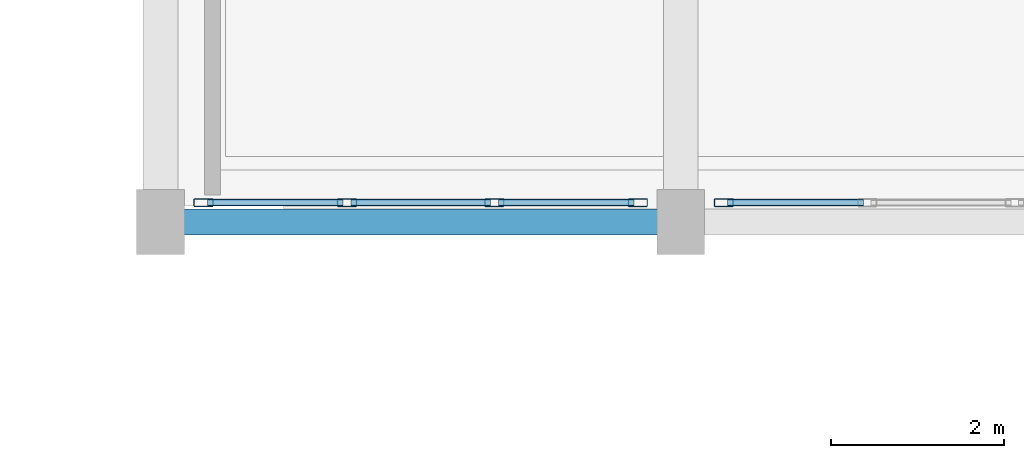
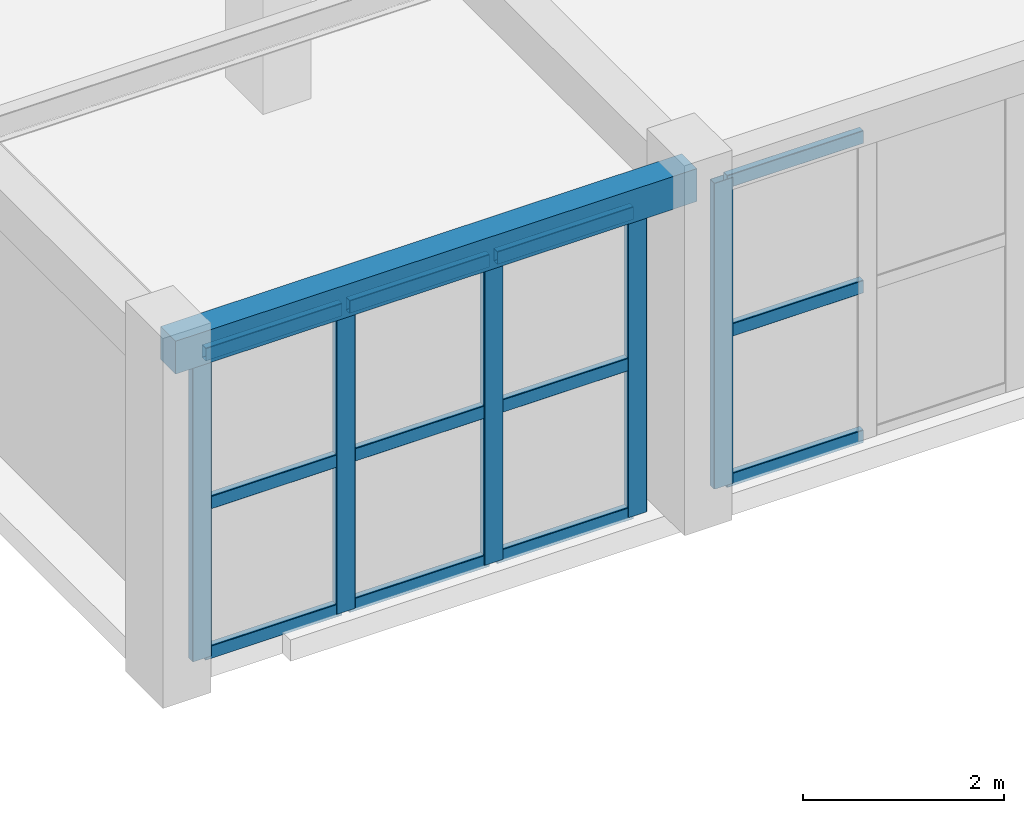
# One storey, part 17 of 92: 17 members, 1 beam, 2 elements without a shape of their own.
"""IFC4 building model written with IfcOpenShell, lengths in metres."""

from ifc_helpers import new_model, si_unit, direction, frame, origin, origin_2d, place, context, subcontext, project, spatial, rectangle, hollow_rectangle, extrude, material, layer, layer_set, material_profile, profile_set, type_object, element, aggregate, save


model = new_model("IFC4")

# Units and contexts
model_context = context("Model", 3, precision=1e-05, world=origin(), true_north=direction((0.0, 1.0)))
body_context = subcontext(model_context, "Body", "Model", "MODEL_VIEW")
ifc_project = project(units=[si_unit("LENGTHUNIT", "METRE"), si_unit("AREAUNIT", "SQUARE_METRE"), si_unit("VOLUMEUNIT", "CUBIC_METRE"), si_unit("PLANEANGLEUNIT", "RADIAN"), si_unit("MASSUNIT", "GRAM", prefix="KILO")], contexts=[model_context])

# Site, building, storey
site_placement = place(None, origin())
site = spatial("IfcSite", under=ifc_project, at=site_placement, CompositionType="ELEMENT")
building_placement = place(site_placement, origin())
building = spatial("IfcBuilding", under=site, at=building_placement, Name="Tarnavel Promenade Courthouse", CompositionType="ELEMENT")
storey_placement = place(building_placement, frame((0.0, 0.0, 5.39990234375)))
storey = spatial("IfcBuildingStorey", under=building, at=storey_placement, Name="L02", CompositionType="ELEMENT", Elevation=5.39990234375)

# Beam
ifc_material_1 = material(Name="Concrete C40/50", Category="concrete")
ifc_material_profile_1 = material_profile(ifc_material_1, rectangle(XDim=0.300048828125, YDim=0.39990234375, at=origin_2d()), Name="RC 300x400")
ifc_profile_set_1 = profile_set([ifc_material_profile_1], Name="Concrete C40/50")
beam_type = type_object("IfcBeamType", Name="Concrete C40/50 BM-SP-300x400 (RC 300x400)", PredefinedType="SPANDREL", material=ifc_profile_set_1)
beam_placement = place(storey_placement, frame((120.0, 28.800048828125, 4.03515625), z_axis=(1.0, 0.0, 0.0), x_axis=(0.0, 1.0, 0.0)))
element("IfcBeam", 1, at=beam_placement, inside=storey, type_object=beam_type, Name="L02 Primary Longitudinal Beam 1081", PredefinedType="SPANDREL", context=body_context, shape_type="SweptSolid", body=[
    extrude(rectangle(XDim=0.300048828125, YDim=0.39990234375, at=origin_2d()), origin(), (0.0, 0.0, 1.0), 6.0),
])

# Curtain wall, members
ifc_material_2 = material(Name="Thermally Broken Anodised Aluminium Curtain Wall System", Category="aluminium")
ifc_layer = layer(ifc_material_2, 0.199951171875)
ifc_layer_set = layer_set([ifc_layer], Name="Thermally Broken Anodised Aluminium Curtain Wall System")
curtain_wall_type = type_object("IfcCurtainWallType", Name="Thermally Broken Aluminium Triple-Glazed Curtain Wall CW-FOYER", PredefinedType="NOTDEFINED", material=ifc_layer_set)
curtain_wall_1_placement = place(storey_placement, origin())
curtain_wall_1 = element("IfcCurtainWall", 2, at=curtain_wall_1_placement, inside=storey, type_object=curtain_wall_type, Name="L02 Ceremonial Cloister Curtain Wall 167", PredefinedType="NOTDEFINED")
ifc_material_3 = material(Name="Thermally Broken Anodised Aluminium Frame", Category="aluminium")
ifc_material_profile_2 = material_profile(ifc_material_3, hollow_rectangle(XDim=0.090087890625, YDim=0.219970703125, WallThickness=0.0048828125, InnerFilletRadius=0.0048828125, OuterFilletRadius=0.010009765625, at=origin_2d()), Name="CWM 220x90x5")
ifc_profile_set_2 = profile_set([ifc_material_profile_2], Name="Thermally Broken Anodised Aluminium Frame")
member_type_1 = type_object("IfcMemberType", Name="Thermally Broken Anodised Aluminium CWM-175 (CWM 220x90x5)", PredefinedType="MULLION", material=ifc_profile_set_2)
member_1_placement = place(storey_placement, frame((120.4951171875, 29.02001953125, 0.0), z_axis=(0.0, 0.0, 1.0), x_axis=(0.0, 1.0, 0.0)))
member_1 = element("IfcMember", 3, at=member_1_placement, type_object=member_type_1, Name="CW-04 mullion 1", PredefinedType="MULLION", context=body_context, shape_type="SweptSolid", body=[
    extrude(hollow_rectangle(XDim=0.090087890625, YDim=0.219970703125, WallThickness=0.0048828125, InnerFilletRadius=0.0048828125, OuterFilletRadius=0.010009765625, at=origin_2d()), origin(), (0.0, 0.0, 1.0), 3.72021484375),
])
member_2_placement = place(storey_placement, frame((122.14990234375, 29.02001953125, 0.0), z_axis=(0.0, 0.0, 1.0), x_axis=(0.0, 1.0, 0.0)))
member_2 = element("IfcMember", 4, at=member_2_placement, type_object=member_type_1, Name="CW-04 mullion 2", PredefinedType="MULLION", context=body_context, shape_type="SweptSolid", body=[
    extrude(hollow_rectangle(XDim=0.090087890625, YDim=0.219970703125, WallThickness=0.0048828125, InnerFilletRadius=0.0048828125, OuterFilletRadius=0.010009765625, at=origin_2d()), origin(), (0.0, 0.0, 1.0), 3.72021484375),
])
member_3_placement = place(storey_placement, frame((123.85009765625, 29.02001953125, 0.0), z_axis=(0.0, 0.0, 1.0), x_axis=(0.0, 1.0, 0.0)))
member_3 = element("IfcMember", 5, at=member_3_placement, type_object=member_type_1, Name="CW-04 mullion 3", PredefinedType="MULLION", context=body_context, shape_type="SweptSolid", body=[
    extrude(hollow_rectangle(XDim=0.090087890625, YDim=0.219970703125, WallThickness=0.0048828125, InnerFilletRadius=0.0048828125, OuterFilletRadius=0.010009765625, at=origin_2d()), origin(), (0.0, 0.0, 1.0), 3.72021484375),
])
member_4_placement = place(storey_placement, frame((125.5048828125, 29.02001953125, 0.0), z_axis=(0.0, 0.0, 1.0), x_axis=(0.0, 1.0, 0.0)))
member_4 = element("IfcMember", 6, at=member_4_placement, type_object=member_type_1, Name="CW-04 mullion 4", PredefinedType="MULLION", context=body_context, shape_type="SweptSolid", body=[
    extrude(hollow_rectangle(XDim=0.090087890625, YDim=0.219970703125, WallThickness=0.0048828125, InnerFilletRadius=0.0048828125, OuterFilletRadius=0.010009765625, at=origin_2d()), origin(), (0.0, 0.0, 1.0), 3.72021484375),
])

# Curtain wall, member
curtain_wall_2_placement = place(storey_placement, origin())
curtain_wall_2 = element("IfcCurtainWall", 7, at=curtain_wall_2_placement, inside=storey, type_object=curtain_wall_type, Name="L02 Ceremonial Cloister Curtain Wall 168", PredefinedType="NOTDEFINED")
member_5_placement = place(storey_placement, frame((126.4951171875, 29.02001953125, 0.0), z_axis=(0.0, 0.0, 1.0), x_axis=(0.0, 1.0, 0.0)))
member_5 = element("IfcMember", 8, at=member_5_placement, type_object=member_type_1, Name="CW-04 mullion 1", PredefinedType="MULLION", context=body_context, shape_type="SweptSolid", body=[
    extrude(hollow_rectangle(XDim=0.090087890625, YDim=0.219970703125, WallThickness=0.0048828125, InnerFilletRadius=0.0048828125, OuterFilletRadius=0.010009765625, at=origin_2d()), origin(), (0.0, 0.0, 1.0), 3.72021484375),
])

# Member
ifc_material_profile_3 = material_profile(ifc_material_3, hollow_rectangle(XDim=0.080078125, YDim=0.159912109375, WallThickness=0.0048828125, InnerFilletRadius=0.0048828125, OuterFilletRadius=0.010009765625, at=origin_2d()), Name="CWT 160x80x5")
ifc_profile_set_3 = profile_set([ifc_material_profile_3], Name="Thermally Broken Anodised Aluminium Frame")
member_type_2 = type_object("IfcMemberType", Name="Thermally Broken Anodised Aluminium CWT-145 (CWT 160x80x5)", PredefinedType="USERDEFINED", material=ifc_profile_set_3)
member_6_placement = place(storey_placement, frame((120.5400390625, 29.02001953125, 0.0400390625), z_axis=(1.0, 0.0, 0.0), x_axis=(0.0, 1.0, 0.0)))
member_6 = element("IfcMember", 9, at=member_6_placement, type_object=member_type_2, Name="CW-04 transom 1.1", ObjectType="TRANSOM", PredefinedType="USERDEFINED", context=body_context, shape_type="SweptSolid", body=[
    extrude(hollow_rectangle(XDim=0.080078125, YDim=0.159912109375, WallThickness=0.0048828125, InnerFilletRadius=0.0048828125, OuterFilletRadius=0.010009765625, at=origin_2d()), origin(), (0.0, 0.0, 1.0), 1.56494140625),
])

member_7_placement = place(storey_placement, frame((120.5400390625, 29.02001953125, 1.860107421875), z_axis=(1.0, 0.0, 0.0), x_axis=(0.0, 1.0, 0.0)))
member_7 = element("IfcMember", 10, at=member_7_placement, type_object=member_type_2, Name="CW-04 transom 1.2", ObjectType="TRANSOM", PredefinedType="USERDEFINED", context=body_context, shape_type="SweptSolid", body=[
    extrude(hollow_rectangle(XDim=0.080078125, YDim=0.159912109375, WallThickness=0.0048828125, InnerFilletRadius=0.0048828125, OuterFilletRadius=0.010009765625, at=origin_2d()), origin(), (0.0, 0.0, 1.0), 1.56494140625),
])

member_8_placement = place(storey_placement, frame((120.5400390625, 29.02001953125, 3.68017578125), z_axis=(1.0, 0.0, 0.0), x_axis=(0.0, 1.0, 0.0)))
member_8 = element("IfcMember", 11, at=member_8_placement, type_object=member_type_2, Name="CW-04 transom 1.3", ObjectType="TRANSOM", PredefinedType="USERDEFINED", context=body_context, shape_type="SweptSolid", body=[
    extrude(hollow_rectangle(XDim=0.080078125, YDim=0.159912109375, WallThickness=0.0048828125, InnerFilletRadius=0.0048828125, OuterFilletRadius=0.010009765625, at=origin_2d()), origin(), (0.0, 0.0, 1.0), 1.56494140625),
])

member_9_placement = place(storey_placement, frame((122.195068359375, 29.02001953125, 0.0400390625), z_axis=(1.0, 0.0, 0.0), x_axis=(0.0, 1.0, 0.0)))
member_9 = element("IfcMember", 12, at=member_9_placement, type_object=member_type_2, Name="CW-04 transom 2.1", ObjectType="TRANSOM", PredefinedType="USERDEFINED", context=body_context, shape_type="SweptSolid", body=[
    extrude(hollow_rectangle(XDim=0.080078125, YDim=0.159912109375, WallThickness=0.0048828125, InnerFilletRadius=0.0048828125, OuterFilletRadius=0.010009765625, at=origin_2d()), origin(), (0.0, 0.0, 1.0), 1.60986328125),
])

member_10_placement = place(storey_placement, frame((122.195068359375, 29.02001953125, 1.860107421875), z_axis=(1.0, 0.0, 0.0), x_axis=(0.0, 1.0, 0.0)))
member_10 = element("IfcMember", 13, at=member_10_placement, type_object=member_type_2, Name="CW-04 transom 2.2", ObjectType="TRANSOM", PredefinedType="USERDEFINED", context=body_context, shape_type="SweptSolid", body=[
    extrude(hollow_rectangle(XDim=0.080078125, YDim=0.159912109375, WallThickness=0.0048828125, InnerFilletRadius=0.0048828125, OuterFilletRadius=0.010009765625, at=origin_2d()), origin(), (0.0, 0.0, 1.0), 1.60986328125),
])

member_11_placement = place(storey_placement, frame((122.195068359375, 29.02001953125, 3.68017578125), z_axis=(1.0, 0.0, 0.0), x_axis=(0.0, 1.0, 0.0)))
member_11 = element("IfcMember", 14, at=member_11_placement, type_object=member_type_2, Name="CW-04 transom 2.3", ObjectType="TRANSOM", PredefinedType="USERDEFINED", context=body_context, shape_type="SweptSolid", body=[
    extrude(hollow_rectangle(XDim=0.080078125, YDim=0.159912109375, WallThickness=0.0048828125, InnerFilletRadius=0.0048828125, OuterFilletRadius=0.010009765625, at=origin_2d()), origin(), (0.0, 0.0, 1.0), 1.60986328125),
])

member_12_placement = place(storey_placement, frame((123.89501953125, 29.02001953125, 0.0400390625), z_axis=(1.0, 0.0, 0.0), x_axis=(0.0, 1.0, 0.0)))
member_12 = element("IfcMember", 15, at=member_12_placement, type_object=member_type_2, Name="CW-04 transom 3.1", ObjectType="TRANSOM", PredefinedType="USERDEFINED", context=body_context, shape_type="SweptSolid", body=[
    extrude(hollow_rectangle(XDim=0.080078125, YDim=0.159912109375, WallThickness=0.0048828125, InnerFilletRadius=0.0048828125, OuterFilletRadius=0.010009765625, at=origin_2d()), origin(), (0.0, 0.0, 1.0), 1.56494140625),
])

member_13_placement = place(storey_placement, frame((123.89501953125, 29.02001953125, 1.860107421875), z_axis=(1.0, 0.0, 0.0), x_axis=(0.0, 1.0, 0.0)))
member_13 = element("IfcMember", 16, at=member_13_placement, type_object=member_type_2, Name="CW-04 transom 3.2", ObjectType="TRANSOM", PredefinedType="USERDEFINED", context=body_context, shape_type="SweptSolid", body=[
    extrude(hollow_rectangle(XDim=0.080078125, YDim=0.159912109375, WallThickness=0.0048828125, InnerFilletRadius=0.0048828125, OuterFilletRadius=0.010009765625, at=origin_2d()), origin(), (0.0, 0.0, 1.0), 1.56494140625),
])

member_14_placement = place(storey_placement, frame((123.89501953125, 29.02001953125, 3.68017578125), z_axis=(1.0, 0.0, 0.0), x_axis=(0.0, 1.0, 0.0)))
member_14 = element("IfcMember", 17, at=member_14_placement, type_object=member_type_2, Name="CW-04 transom 3.3", ObjectType="TRANSOM", PredefinedType="USERDEFINED", context=body_context, shape_type="SweptSolid", body=[
    extrude(hollow_rectangle(XDim=0.080078125, YDim=0.159912109375, WallThickness=0.0048828125, InnerFilletRadius=0.0048828125, OuterFilletRadius=0.010009765625, at=origin_2d()), origin(), (0.0, 0.0, 1.0), 1.56494140625),
])

aggregate(curtain_wall_1, [member_1, member_2, member_3, member_4, member_6, member_7, member_8, member_9, member_10, member_11, member_12, member_13, member_14])

member_15_placement = place(storey_placement, frame((126.5400390625, 29.02001953125, 0.0400390625), z_axis=(1.0, 0.0, 0.0), x_axis=(0.0, 1.0, 0.0)))
member_15 = element("IfcMember", 18, at=member_15_placement, type_object=member_type_2, Name="CW-04 transom 1.1", ObjectType="TRANSOM", PredefinedType="USERDEFINED", context=body_context, shape_type="SweptSolid", body=[
    extrude(hollow_rectangle(XDim=0.080078125, YDim=0.159912109375, WallThickness=0.0048828125, InnerFilletRadius=0.0048828125, OuterFilletRadius=0.010009765625, at=origin_2d()), origin(), (0.0, 0.0, 1.0), 1.56494140625),
])

member_16_placement = place(storey_placement, frame((126.5400390625, 29.02001953125, 1.860107421875), z_axis=(1.0, 0.0, 0.0), x_axis=(0.0, 1.0, 0.0)))
member_16 = element("IfcMember", 19, at=member_16_placement, type_object=member_type_2, Name="CW-04 transom 1.2", ObjectType="TRANSOM", PredefinedType="USERDEFINED", context=body_context, shape_type="SweptSolid", body=[
    extrude(hollow_rectangle(XDim=0.080078125, YDim=0.159912109375, WallThickness=0.0048828125, InnerFilletRadius=0.0048828125, OuterFilletRadius=0.010009765625, at=origin_2d()), origin(), (0.0, 0.0, 1.0), 1.56494140625),
])

member_17_placement = place(storey_placement, frame((126.5400390625, 29.02001953125, 3.68017578125), z_axis=(1.0, 0.0, 0.0), x_axis=(0.0, 1.0, 0.0)))
member_17 = element("IfcMember", 20, at=member_17_placement, type_object=member_type_2, Name="CW-04 transom 1.3", ObjectType="TRANSOM", PredefinedType="USERDEFINED", context=body_context, shape_type="SweptSolid", body=[
    extrude(hollow_rectangle(XDim=0.080078125, YDim=0.159912109375, WallThickness=0.0048828125, InnerFilletRadius=0.0048828125, OuterFilletRadius=0.010009765625, at=origin_2d()), origin(), (0.0, 0.0, 1.0), 1.56494140625),
])

aggregate(curtain_wall_2, [member_5, member_15, member_16, member_17])

save(model, "model.ifc")
